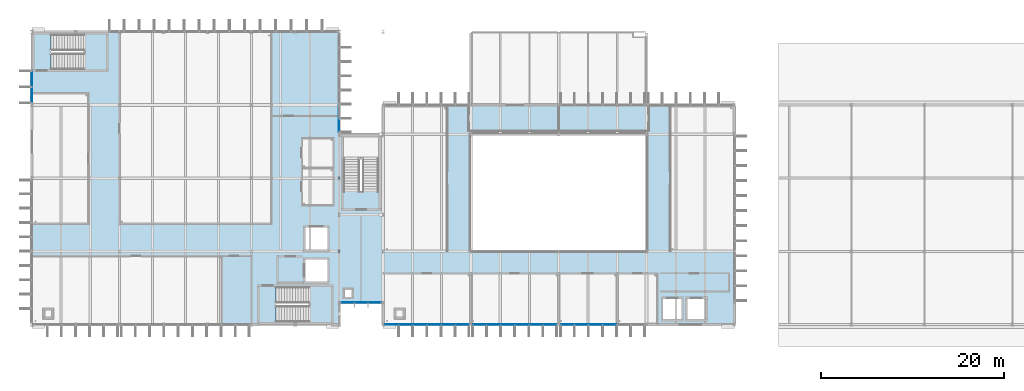
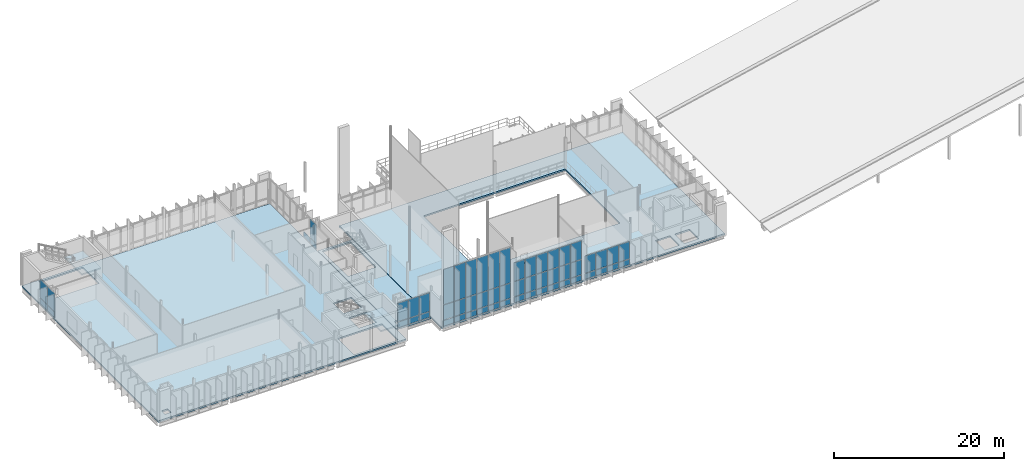
# One storey, part 19 of 41: 57 plates, 5 slabs, 8 elements without a shape of their own.
"""IFC4 building model written with IfcOpenShell, lengths in metres."""

from ifc_helpers import new_model, si_unit, direction, frame, origin, origin_2d, place, context, subcontext, project, spatial, polyline, rectangle, outline, extrude, material, layer, layer_set, type_object, element, aggregate, save


model = new_model("IFC4")

# Units and contexts
model_context = context("Model", 3, precision=1e-05, world=origin(), true_north=direction((0.0, 1.0)))
body_context = subcontext(model_context, "Body", "Model", "MODEL_VIEW")
ifc_project = project(units=[si_unit("LENGTHUNIT", "METRE"), si_unit("AREAUNIT", "SQUARE_METRE"), si_unit("VOLUMEUNIT", "CUBIC_METRE"), si_unit("PLANEANGLEUNIT", "RADIAN"), si_unit("MASSUNIT", "GRAM", prefix="KILO")], contexts=[model_context])

# Site, building, storey
site_placement = place(None, origin())
site = spatial("IfcSite", under=ifc_project, at=site_placement, CompositionType="ELEMENT")
building_placement = place(site_placement, origin())
building = spatial("IfcBuilding", under=site, at=building_placement, Name="Dunescarp Central Library", CompositionType="ELEMENT")
storey_placement = place(building_placement, frame((0.0, 0.0, 23.10009765625)))
storey = spatial("IfcBuildingStorey", under=building, at=storey_placement, Name="L05", CompositionType="ELEMENT", Elevation=23.10009765625)

# Curtain wall, plates
ifc_material_1 = material(Name="Marine-grade anodised aluminium 6063-T6", Category="aluminium")
curtain_wall_type_1 = type_object("IfcCurtainWallType", Name="ARC-CW-STICK", PredefinedType="NOTDEFINED", material=ifc_material_1)
curtain_wall_1_placement = place(storey_placement, origin())
curtain_wall_1 = element("IfcCurtainWall", 1, at=curtain_wall_1_placement, inside=storey, type_object=curtain_wall_type_1, Name="L05 curtain wall CW-V1-036", PredefinedType="NOTDEFINED")
ifc_material_2 = material(Name="Solar-control laminated double glazing", Category="glass")
ifc_layer_1 = layer(ifc_material_2, 0.028076171875)
ifc_layer_set_1 = layer_set([ifc_layer_1], Name="Solar-control laminated double glazing")
plate_type_1 = type_object("IfcPlateType", Name="ARC-PLT-GLZ28", PredefinedType="CURTAIN_PANEL", material=ifc_layer_set_1)
plate_1_placement = place(storey_placement, frame((0.0, 29.888671875, 0.93994140625), z_axis=(0.0, 0.0, 1.0), x_axis=(0.0, 1.0, 0.0)))
plate_1 = element("IfcPlate", 2, at=plate_1_placement, type_object=plate_type_1, Name="CW-V1-036 panel 1.2", PredefinedType="CURTAIN_PANEL", context=body_context, shape_type="SweptSolid", body=[
    extrude(rectangle(XDim=1.66748046875, YDim=0.028076171875, at=origin_2d()), origin(), (0.0, 0.0, 1.0), 2.633056640625),
])
plate_2_placement = place(storey_placement, frame((0.0, 31.63623046875, 0.93994140625), z_axis=(0.0, 0.0, 1.0), x_axis=(0.0, 1.0, 0.0)))
plate_2 = element("IfcPlate", 3, at=plate_2_placement, type_object=plate_type_1, Name="CW-V1-036 panel 2.2", PredefinedType="CURTAIN_PANEL", context=body_context, shape_type="SweptSolid", body=[
    extrude(rectangle(XDim=1.66748046875, YDim=0.028076171875, at=origin_2d()), origin(), (0.0, 0.0, 1.0), 2.633056640625),
])

# Curtain wall, plate
curtain_wall_2_placement = place(storey_placement, origin())
curtain_wall_2 = element("IfcCurtainWall", 4, at=curtain_wall_2_placement, inside=storey, type_object=curtain_wall_type_1, Name="L05 curtain wall CW-V1-037", PredefinedType="NOTDEFINED")
plate_3_placement = place(storey_placement, frame((33.60009765625, 26.570068359375, 0.93994140625), z_axis=(0.0, 0.0, 1.0), x_axis=(0.0, -1.0, 0.0)))
plate_3 = element("IfcPlate", 5, at=plate_3_placement, type_object=plate_type_1, Name="CW-V1-037 panel 7.2", PredefinedType="CURTAIN_PANEL", context=body_context, shape_type="SweptSolid", body=[
    extrude(rectangle(XDim=1.429931640625, YDim=0.028076171875, at=origin_2d()), origin(), (0.0, 0.0, 1.0), 2.633056640625),
])

# Curtain wall, plates
curtain_wall_3_placement = place(storey_placement, origin())
curtain_wall_3 = element("IfcCurtainWall", 6, at=curtain_wall_3_placement, inside=storey, type_object=curtain_wall_type_1, Name="L05 curtain wall CW-V2-074", PredefinedType="NOTDEFINED")
plate_4_placement = place(storey_placement, frame((47.0341796875, 4.800048828125, 0.93994140625), z_axis=(0.0, 0.0, 1.0), x_axis=(-1.0, 0.0, 0.0)))
plate_4 = element("IfcPlate", 7, at=plate_4_placement, type_object=plate_type_1, Name="CW-V2-074 panel 1.2", PredefinedType="CURTAIN_PANEL", context=body_context, shape_type="SweptSolid", body=[
    extrude(rectangle(XDim=1.421630859375, YDim=0.028076171875, at=origin_2d()), origin(), (0.0, 0.0, 1.0), 2.1201171875),
])
plate_5_placement = place(storey_placement, frame((47.0341796875, 4.800048828125, 3.14013671875), z_axis=(0.0, 0.0, 1.0), x_axis=(-1.0, 0.0, 0.0)))
plate_5 = element("IfcPlate", 8, at=plate_5_placement, type_object=plate_type_1, Name="CW-V2-074 panel 1.3", PredefinedType="CURTAIN_PANEL", context=body_context, shape_type="SweptSolid", body=[
    extrude(rectangle(XDim=1.421630859375, YDim=0.028076171875, at=origin_2d()), origin(), (0.0, 0.0, 1.0), 5.052978515625),
])
plate_6_placement = place(storey_placement, frame((45.512451171875, 4.800048828125, 0.93994140625), z_axis=(0.0, 0.0, 1.0), x_axis=(-1.0, 0.0, 0.0)))
plate_6 = element("IfcPlate", 9, at=plate_6_placement, type_object=plate_type_1, Name="CW-V2-074 panel 2.2", PredefinedType="CURTAIN_PANEL", context=body_context, shape_type="SweptSolid", body=[
    extrude(rectangle(XDim=1.461669921875, YDim=0.028076171875, at=origin_2d()), origin(), (0.0, 0.0, 1.0), 2.1201171875),
])
plate_7_placement = place(storey_placement, frame((45.512451171875, 4.800048828125, 3.14013671875), z_axis=(0.0, 0.0, 1.0), x_axis=(-1.0, 0.0, 0.0)))
plate_7 = element("IfcPlate", 10, at=plate_7_placement, type_object=plate_type_1, Name="CW-V2-074 panel 2.3", PredefinedType="CURTAIN_PANEL", context=body_context, shape_type="SweptSolid", body=[
    extrude(rectangle(XDim=1.461669921875, YDim=0.028076171875, at=origin_2d()), origin(), (0.0, 0.0, 1.0), 5.052978515625),
])
plate_8_placement = place(storey_placement, frame((43.970947265625, 4.800048828125, 0.93994140625), z_axis=(0.0, 0.0, 1.0), x_axis=(-1.0, 0.0, 0.0)))
plate_8 = element("IfcPlate", 11, at=plate_8_placement, type_object=plate_type_1, Name="CW-V2-074 panel 3.2", PredefinedType="CURTAIN_PANEL", context=body_context, shape_type="SweptSolid", body=[
    extrude(rectangle(XDim=1.461669921875, YDim=0.028076171875, at=origin_2d()), origin(), (0.0, 0.0, 1.0), 2.1201171875),
])
plate_9_placement = place(storey_placement, frame((43.970947265625, 4.800048828125, 3.14013671875), z_axis=(0.0, 0.0, 1.0), x_axis=(-1.0, 0.0, 0.0)))
plate_9 = element("IfcPlate", 12, at=plate_9_placement, type_object=plate_type_1, Name="CW-V2-074 panel 3.3", PredefinedType="CURTAIN_PANEL", context=body_context, shape_type="SweptSolid", body=[
    extrude(rectangle(XDim=1.461669921875, YDim=0.028076171875, at=origin_2d()), origin(), (0.0, 0.0, 1.0), 5.052978515625),
])
plate_10_placement = place(storey_placement, frame((42.42919921875, 4.800048828125, 0.93994140625), z_axis=(0.0, 0.0, 1.0), x_axis=(-1.0, 0.0, 0.0)))
plate_10 = element("IfcPlate", 13, at=plate_10_placement, type_object=plate_type_1, Name="CW-V2-074 panel 4.2", PredefinedType="CURTAIN_PANEL", context=body_context, shape_type="SweptSolid", body=[
    extrude(rectangle(XDim=1.461669921875, YDim=0.028076171875, at=origin_2d()), origin(), (0.0, 0.0, 1.0), 2.1201171875),
])
plate_11_placement = place(storey_placement, frame((42.42919921875, 4.800048828125, 3.14013671875), z_axis=(0.0, 0.0, 1.0), x_axis=(-1.0, 0.0, 0.0)))
plate_11 = element("IfcPlate", 14, at=plate_11_placement, type_object=plate_type_1, Name="CW-V2-074 panel 4.3", PredefinedType="CURTAIN_PANEL", context=body_context, shape_type="SweptSolid", body=[
    extrude(rectangle(XDim=1.461669921875, YDim=0.028076171875, at=origin_2d()), origin(), (0.0, 0.0, 1.0), 5.052978515625),
])
plate_12_placement = place(storey_placement, frame((40.887451171875, 4.800048828125, 0.93994140625), z_axis=(0.0, 0.0, 1.0), x_axis=(-1.0, 0.0, 0.0)))
plate_12 = element("IfcPlate", 15, at=plate_12_placement, type_object=plate_type_1, Name="CW-V2-074 panel 5.2", PredefinedType="CURTAIN_PANEL", context=body_context, shape_type="SweptSolid", body=[
    extrude(rectangle(XDim=1.461669921875, YDim=0.028076171875, at=origin_2d()), origin(), (0.0, 0.0, 1.0), 2.1201171875),
])
plate_13_placement = place(storey_placement, frame((40.887451171875, 4.800048828125, 3.14013671875), z_axis=(0.0, 0.0, 1.0), x_axis=(-1.0, 0.0, 0.0)))
plate_13 = element("IfcPlate", 16, at=plate_13_placement, type_object=plate_type_1, Name="CW-V2-074 panel 5.3", PredefinedType="CURTAIN_PANEL", context=body_context, shape_type="SweptSolid", body=[
    extrude(rectangle(XDim=1.461669921875, YDim=0.028076171875, at=origin_2d()), origin(), (0.0, 0.0, 1.0), 5.052978515625),
])
plate_14_placement = place(storey_placement, frame((39.36572265625, 4.800048828125, 0.93994140625), z_axis=(0.0, 0.0, 1.0), x_axis=(-1.0, 0.0, 0.0)))
plate_14 = element("IfcPlate", 17, at=plate_14_placement, type_object=plate_type_1, Name="CW-V2-074 panel 6.2", PredefinedType="CURTAIN_PANEL", context=body_context, shape_type="SweptSolid", body=[
    extrude(rectangle(XDim=1.421630859375, YDim=0.028076171875, at=origin_2d()), origin(), (0.0, 0.0, 1.0), 2.1201171875),
])
plate_15_placement = place(storey_placement, frame((39.36572265625, 4.800048828125, 3.14013671875), z_axis=(0.0, 0.0, 1.0), x_axis=(-1.0, 0.0, 0.0)))
plate_15 = element("IfcPlate", 18, at=plate_15_placement, type_object=plate_type_1, Name="CW-V2-074 panel 6.3", PredefinedType="CURTAIN_PANEL", context=body_context, shape_type="SweptSolid", body=[
    extrude(rectangle(XDim=1.421630859375, YDim=0.028076171875, at=origin_2d()), origin(), (0.0, 0.0, 1.0), 5.052978515625),
])

curtain_wall_4_placement = place(storey_placement, origin())
curtain_wall_4 = element("IfcCurtainWall", 19, at=curtain_wall_4_placement, inside=storey, type_object=curtain_wall_type_1, Name="L05 curtain wall CW-V2-075", PredefinedType="NOTDEFINED")
plate_16_placement = place(storey_placement, frame((56.63427734375, 4.800048828125, 0.93994140625), z_axis=(0.0, 0.0, 1.0), x_axis=(-1.0, 0.0, 0.0)))
plate_16 = element("IfcPlate", 20, at=plate_16_placement, type_object=plate_type_1, Name="CW-V2-075 panel 1.2", PredefinedType="CURTAIN_PANEL", context=body_context, shape_type="SweptSolid", body=[
    extrude(rectangle(XDim=1.421630859375, YDim=0.028076171875, at=origin_2d()), origin(), (0.0, 0.0, 1.0), 2.1201171875),
])
plate_17_placement = place(storey_placement, frame((56.63427734375, 4.800048828125, 3.1396484375), z_axis=(0.0, 0.0, 1.0), x_axis=(-1.0, 0.0, 0.0)))
plate_17 = element("IfcPlate", 21, at=plate_17_placement, type_object=plate_type_1, Name="CW-V2-075 panel 1.3", PredefinedType="CURTAIN_PANEL", context=body_context, shape_type="SweptSolid", body=[
    extrude(rectangle(XDim=1.421630859375, YDim=0.028076171875, at=origin_2d()), origin(), (0.0, 0.0, 1.0), 2.653076171875),
])
plate_18_placement = place(storey_placement, frame((55.112548828125, 4.800048828125, 0.93994140625), z_axis=(0.0, 0.0, 1.0), x_axis=(-1.0, 0.0, 0.0)))
plate_18 = element("IfcPlate", 22, at=plate_18_placement, type_object=plate_type_1, Name="CW-V2-075 panel 2.2", PredefinedType="CURTAIN_PANEL", context=body_context, shape_type="SweptSolid", body=[
    extrude(rectangle(XDim=1.461669921875, YDim=0.028076171875, at=origin_2d()), origin(), (0.0, 0.0, 1.0), 2.1201171875),
])
plate_19_placement = place(storey_placement, frame((55.112548828125, 4.800048828125, 3.1396484375), z_axis=(0.0, 0.0, 1.0), x_axis=(-1.0, 0.0, 0.0)))
plate_19 = element("IfcPlate", 23, at=plate_19_placement, type_object=plate_type_1, Name="CW-V2-075 panel 2.3", PredefinedType="CURTAIN_PANEL", context=body_context, shape_type="SweptSolid", body=[
    extrude(rectangle(XDim=1.461669921875, YDim=0.028076171875, at=origin_2d()), origin(), (0.0, 0.0, 1.0), 2.653076171875),
])
plate_20_placement = place(storey_placement, frame((53.57080078125, 4.800048828125, 0.93994140625), z_axis=(0.0, 0.0, 1.0), x_axis=(-1.0, 0.0, 0.0)))
plate_20 = element("IfcPlate", 24, at=plate_20_placement, type_object=plate_type_1, Name="CW-V2-075 panel 3.2", PredefinedType="CURTAIN_PANEL", context=body_context, shape_type="SweptSolid", body=[
    extrude(rectangle(XDim=1.461669921875, YDim=0.028076171875, at=origin_2d()), origin(), (0.0, 0.0, 1.0), 2.1201171875),
])
plate_21_placement = place(storey_placement, frame((53.57080078125, 4.800048828125, 3.1396484375), z_axis=(0.0, 0.0, 1.0), x_axis=(-1.0, 0.0, 0.0)))
plate_21 = element("IfcPlate", 25, at=plate_21_placement, type_object=plate_type_1, Name="CW-V2-075 panel 3.3", PredefinedType="CURTAIN_PANEL", context=body_context, shape_type="SweptSolid", body=[
    extrude(rectangle(XDim=1.461669921875, YDim=0.028076171875, at=origin_2d()), origin(), (0.0, 0.0, 1.0), 2.653076171875),
])
plate_22_placement = place(storey_placement, frame((52.029052734375, 4.800048828125, 0.93994140625), z_axis=(0.0, 0.0, 1.0), x_axis=(-1.0, 0.0, 0.0)))
plate_22 = element("IfcPlate", 26, at=plate_22_placement, type_object=plate_type_1, Name="CW-V2-075 panel 4.2", PredefinedType="CURTAIN_PANEL", context=body_context, shape_type="SweptSolid", body=[
    extrude(rectangle(XDim=1.461669921875, YDim=0.028076171875, at=origin_2d()), origin(), (0.0, 0.0, 1.0), 2.1201171875),
])
plate_23_placement = place(storey_placement, frame((52.029052734375, 4.800048828125, 3.1396484375), z_axis=(0.0, 0.0, 1.0), x_axis=(-1.0, 0.0, 0.0)))
plate_23 = element("IfcPlate", 27, at=plate_23_placement, type_object=plate_type_1, Name="CW-V2-075 panel 4.3", PredefinedType="CURTAIN_PANEL", context=body_context, shape_type="SweptSolid", body=[
    extrude(rectangle(XDim=1.461669921875, YDim=0.028076171875, at=origin_2d()), origin(), (0.0, 0.0, 1.0), 2.653076171875),
])
plate_24_placement = place(storey_placement, frame((50.487548828125, 4.800048828125, 0.93994140625), z_axis=(0.0, 0.0, 1.0), x_axis=(-1.0, 0.0, 0.0)))
plate_24 = element("IfcPlate", 28, at=plate_24_placement, type_object=plate_type_1, Name="CW-V2-075 panel 5.2", PredefinedType="CURTAIN_PANEL", context=body_context, shape_type="SweptSolid", body=[
    extrude(rectangle(XDim=1.461669921875, YDim=0.028076171875, at=origin_2d()), origin(), (0.0, 0.0, 1.0), 2.1201171875),
])
plate_25_placement = place(storey_placement, frame((50.487548828125, 4.800048828125, 3.1396484375), z_axis=(0.0, 0.0, 1.0), x_axis=(-1.0, 0.0, 0.0)))
plate_25 = element("IfcPlate", 29, at=plate_25_placement, type_object=plate_type_1, Name="CW-V2-075 panel 5.3", PredefinedType="CURTAIN_PANEL", context=body_context, shape_type="SweptSolid", body=[
    extrude(rectangle(XDim=1.461669921875, YDim=0.028076171875, at=origin_2d()), origin(), (0.0, 0.0, 1.0), 2.653076171875),
])
plate_26_placement = place(storey_placement, frame((48.9658203125, 4.800048828125, 0.93994140625), z_axis=(0.0, 0.0, 1.0), x_axis=(-1.0, 0.0, 0.0)))
plate_26 = element("IfcPlate", 30, at=plate_26_placement, type_object=plate_type_1, Name="CW-V2-075 panel 6.2", PredefinedType="CURTAIN_PANEL", context=body_context, shape_type="SweptSolid", body=[
    extrude(rectangle(XDim=1.421630859375, YDim=0.028076171875, at=origin_2d()), origin(), (0.0, 0.0, 1.0), 2.1201171875),
])
plate_27_placement = place(storey_placement, frame((48.9658203125, 4.800048828125, 3.1396484375), z_axis=(0.0, 0.0, 1.0), x_axis=(-1.0, 0.0, 0.0)))
plate_27 = element("IfcPlate", 31, at=plate_27_placement, type_object=plate_type_1, Name="CW-V2-075 panel 6.3", PredefinedType="CURTAIN_PANEL", context=body_context, shape_type="SweptSolid", body=[
    extrude(rectangle(XDim=1.421630859375, YDim=0.028076171875, at=origin_2d()), origin(), (0.0, 0.0, 1.0), 2.653076171875),
])

curtain_wall_5_placement = place(storey_placement, origin())
curtain_wall_5 = element("IfcCurtainWall", 32, at=curtain_wall_5_placement, inside=storey, type_object=curtain_wall_type_1, Name="L05 curtain wall CW-V2-076", PredefinedType="NOTDEFINED")
plate_28_placement = place(storey_placement, frame((63.1708984375, 4.800048828125, 0.93994140625), z_axis=(0.0, 0.0, 1.0), x_axis=(-1.0, 0.0, 0.0)))
plate_28 = element("IfcPlate", 33, at=plate_28_placement, type_object=plate_type_1, Name="CW-V2-076 panel 3.2", PredefinedType="CURTAIN_PANEL", context=body_context, shape_type="SweptSolid", body=[
    extrude(rectangle(XDim=1.461669921875, YDim=0.028076171875, at=origin_2d()), origin(), (0.0, 0.0, 1.0), 2.452880859375),
])
plate_29_placement = place(storey_placement, frame((61.629150390625, 4.800048828125, 0.93994140625), z_axis=(0.0, 0.0, 1.0), x_axis=(-1.0, 0.0, 0.0)))
plate_29 = element("IfcPlate", 34, at=plate_29_placement, type_object=plate_type_1, Name="CW-V2-076 panel 4.2", PredefinedType="CURTAIN_PANEL", context=body_context, shape_type="SweptSolid", body=[
    extrude(rectangle(XDim=1.461669921875, YDim=0.028076171875, at=origin_2d()), origin(), (0.0, 0.0, 1.0), 2.452880859375),
])
plate_30_placement = place(storey_placement, frame((60.08740234375, 4.800048828125, 0.93994140625), z_axis=(0.0, 0.0, 1.0), x_axis=(-1.0, 0.0, 0.0)))
plate_30 = element("IfcPlate", 35, at=plate_30_placement, type_object=plate_type_1, Name="CW-V2-076 panel 5.2", PredefinedType="CURTAIN_PANEL", context=body_context, shape_type="SweptSolid", body=[
    extrude(rectangle(XDim=1.461669921875, YDim=0.028076171875, at=origin_2d()), origin(), (0.0, 0.0, 1.0), 2.452880859375),
])
plate_31_placement = place(storey_placement, frame((58.56591796875, 4.800048828125, 0.93994140625), z_axis=(0.0, 0.0, 1.0), x_axis=(-1.0, 0.0, 0.0)))
plate_31 = element("IfcPlate", 36, at=plate_31_placement, type_object=plate_type_1, Name="CW-V2-076 panel 6.2", PredefinedType="CURTAIN_PANEL", context=body_context, shape_type="SweptSolid", body=[
    extrude(rectangle(XDim=1.421630859375, YDim=0.028076171875, at=origin_2d()), origin(), (0.0, 0.0, 1.0), 2.452880859375),
])

curtain_wall_type_2 = type_object("IfcCurtainWallType", Name="ARC-CW-LINK", PredefinedType="USERDEFINED", material=ifc_material_1)
curtain_wall_6_placement = place(storey_placement, origin())
curtain_wall_6 = element("IfcCurtainWall", 37, at=curtain_wall_6_placement, inside=storey, type_object=curtain_wall_type_2, Name="L05 curtain wall CW-GL1-S-L05", ObjectType="GLAZED_LINK_WALL", PredefinedType="USERDEFINED")
plate_32_placement = place(storey_placement, frame((37.46337890625, 7.199951171875, 0.93994140625), z_axis=(0.0, 0.0, 1.0), x_axis=(-1.0, 0.0, 0.0)))
plate_32 = element("IfcPlate", 38, at=plate_32_placement, type_object=plate_type_1, Name="CW-GL1-S-L05 panel 1.2", PredefinedType="CURTAIN_PANEL", context=body_context, shape_type="SweptSolid", body=[
    extrude(rectangle(XDim=1.36328125, YDim=0.028076171875, at=origin_2d()), origin(), (0.0, 0.0, 1.0), 2.64208984375),
])
plate_33_placement = place(storey_placement, frame((36.0, 7.199951171875, 0.93994140625), z_axis=(0.0, 0.0, 1.0), x_axis=(-1.0, 0.0, 0.0)))
plate_33 = element("IfcPlate", 39, at=plate_33_placement, type_object=plate_type_1, Name="CW-GL1-S-L05 panel 2.2", PredefinedType="CURTAIN_PANEL", context=body_context, shape_type="SweptSolid", body=[
    extrude(rectangle(XDim=1.4033203125, YDim=0.028076171875, at=origin_2d()), origin(), (0.0, 0.0, 1.0), 2.64208984375),
])
plate_34_placement = place(storey_placement, frame((34.53662109375, 7.199951171875, 0.93994140625), z_axis=(0.0, 0.0, 1.0), x_axis=(-1.0, 0.0, 0.0)))
plate_34 = element("IfcPlate", 40, at=plate_34_placement, type_object=plate_type_1, Name="CW-GL1-S-L05 panel 3.2", PredefinedType="CURTAIN_PANEL", context=body_context, shape_type="SweptSolid", body=[
    extrude(rectangle(XDim=1.36328125, YDim=0.028076171875, at=origin_2d()), origin(), (0.0, 0.0, 1.0), 2.64208984375),
])

# Plate
ifc_layer_2 = layer(ifc_material_1, 0.050048828125)
ifc_layer_set_2 = layer_set([ifc_layer_2], Name="Marine-grade anodised aluminium 6063-T6")
plate_type_2 = type_object("IfcPlateType", Name="ARC-PLT-SPN50", PredefinedType="SHEET", material=ifc_layer_set_2)
plate_35_placement = place(storey_placement, frame((0.0, 29.888671875, 0.080078125), z_axis=(0.0, 0.0, 1.0), x_axis=(0.0, 1.0, 0.0)))
plate_35 = element("IfcPlate", 41, at=plate_35_placement, type_object=plate_type_2, Name="CW-V1-036 panel 1.1", PredefinedType="SHEET", context=body_context, shape_type="SweptSolid", body=[
    extrude(rectangle(XDim=1.66748046875, YDim=0.050048828125, at=origin_2d()), origin(), (0.0, 0.0, 1.0), 0.780029296875),
])

plate_36_placement = place(storey_placement, frame((0.0, 31.63623046875, 0.080078125), z_axis=(0.0, 0.0, 1.0), x_axis=(0.0, 1.0, 0.0)))
plate_36 = element("IfcPlate", 42, at=plate_36_placement, type_object=plate_type_2, Name="CW-V1-036 panel 2.1", PredefinedType="SHEET", context=body_context, shape_type="SweptSolid", body=[
    extrude(rectangle(XDim=1.66748046875, YDim=0.050048828125, at=origin_2d()), origin(), (0.0, 0.0, 1.0), 0.780029296875),
])

aggregate(curtain_wall_1, [plate_35, plate_1, plate_36, plate_2])

plate_37_placement = place(storey_placement, frame((33.60009765625, 28.10009765625, 0.080078125), z_axis=(0.0, 0.0, 1.0), x_axis=(0.0, -1.0, 0.0)))
plate_37 = element("IfcPlate", 43, at=plate_37_placement, type_object=plate_type_2, Name="CW-V1-037 panel 6.1", PredefinedType="SHEET", context=body_context, shape_type="SweptSolid", body=[
    extrude(rectangle(XDim=1.469970703125, YDim=0.050048828125, at=origin_2d()), origin(), (0.0, 0.0, 1.0), 0.780029296875),
])

plate_38_placement = place(storey_placement, frame((33.60009765625, 26.570068359375, 0.080078125), z_axis=(0.0, 0.0, 1.0), x_axis=(0.0, -1.0, 0.0)))
plate_38 = element("IfcPlate", 44, at=plate_38_placement, type_object=plate_type_2, Name="CW-V1-037 panel 7.1", PredefinedType="SHEET", context=body_context, shape_type="SweptSolid", body=[
    extrude(rectangle(XDim=1.429931640625, YDim=0.050048828125, at=origin_2d()), origin(), (0.0, 0.0, 1.0), 0.780029296875),
])

aggregate(curtain_wall_2, [plate_37, plate_38, plate_3])

plate_39_placement = place(storey_placement, frame((47.0341796875, 4.800048828125, 0.080078125), z_axis=(0.0, 0.0, 1.0), x_axis=(-1.0, 0.0, 0.0)))
plate_39 = element("IfcPlate", 45, at=plate_39_placement, type_object=plate_type_2, Name="CW-V2-074 panel 1.1", PredefinedType="SHEET", context=body_context, shape_type="SweptSolid", body=[
    extrude(rectangle(XDim=1.421630859375, YDim=0.050048828125, at=origin_2d()), origin(), (0.0, 0.0, 1.0), 0.780029296875),
])

plate_40_placement = place(storey_placement, frame((45.512451171875, 4.800048828125, 0.080078125), z_axis=(0.0, 0.0, 1.0), x_axis=(-1.0, 0.0, 0.0)))
plate_40 = element("IfcPlate", 46, at=plate_40_placement, type_object=plate_type_2, Name="CW-V2-074 panel 2.1", PredefinedType="SHEET", context=body_context, shape_type="SweptSolid", body=[
    extrude(rectangle(XDim=1.461669921875, YDim=0.050048828125, at=origin_2d()), origin(), (0.0, 0.0, 1.0), 0.780029296875),
])

plate_41_placement = place(storey_placement, frame((43.970947265625, 4.800048828125, 0.080078125), z_axis=(0.0, 0.0, 1.0), x_axis=(-1.0, 0.0, 0.0)))
plate_41 = element("IfcPlate", 47, at=plate_41_placement, type_object=plate_type_2, Name="CW-V2-074 panel 3.1", PredefinedType="SHEET", context=body_context, shape_type="SweptSolid", body=[
    extrude(rectangle(XDim=1.461669921875, YDim=0.050048828125, at=origin_2d()), origin(), (0.0, 0.0, 1.0), 0.780029296875),
])

plate_42_placement = place(storey_placement, frame((42.42919921875, 4.800048828125, 0.080078125), z_axis=(0.0, 0.0, 1.0), x_axis=(-1.0, 0.0, 0.0)))
plate_42 = element("IfcPlate", 48, at=plate_42_placement, type_object=plate_type_2, Name="CW-V2-074 panel 4.1", PredefinedType="SHEET", context=body_context, shape_type="SweptSolid", body=[
    extrude(rectangle(XDim=1.461669921875, YDim=0.050048828125, at=origin_2d()), origin(), (0.0, 0.0, 1.0), 0.780029296875),
])

plate_43_placement = place(storey_placement, frame((40.887451171875, 4.800048828125, 0.080078125), z_axis=(0.0, 0.0, 1.0), x_axis=(-1.0, 0.0, 0.0)))
plate_43 = element("IfcPlate", 49, at=plate_43_placement, type_object=plate_type_2, Name="CW-V2-074 panel 5.1", PredefinedType="SHEET", context=body_context, shape_type="SweptSolid", body=[
    extrude(rectangle(XDim=1.461669921875, YDim=0.050048828125, at=origin_2d()), origin(), (0.0, 0.0, 1.0), 0.780029296875),
])

plate_44_placement = place(storey_placement, frame((39.36572265625, 4.800048828125, 0.080078125), z_axis=(0.0, 0.0, 1.0), x_axis=(-1.0, 0.0, 0.0)))
plate_44 = element("IfcPlate", 50, at=plate_44_placement, type_object=plate_type_2, Name="CW-V2-074 panel 6.1", PredefinedType="SHEET", context=body_context, shape_type="SweptSolid", body=[
    extrude(rectangle(XDim=1.421630859375, YDim=0.050048828125, at=origin_2d()), origin(), (0.0, 0.0, 1.0), 0.780029296875),
])

aggregate(curtain_wall_3, [plate_39, plate_4, plate_5, plate_40, plate_6, plate_7, plate_41, plate_8, plate_9, plate_42, plate_10, plate_11, plate_43, plate_12, plate_13, plate_44, plate_14, plate_15])

plate_45_placement = place(storey_placement, frame((56.63427734375, 4.800048828125, 0.080078125), z_axis=(0.0, 0.0, 1.0), x_axis=(-1.0, 0.0, 0.0)))
plate_45 = element("IfcPlate", 51, at=plate_45_placement, type_object=plate_type_2, Name="CW-V2-075 panel 1.1", PredefinedType="SHEET", context=body_context, shape_type="SweptSolid", body=[
    extrude(rectangle(XDim=1.421630859375, YDim=0.050048828125, at=origin_2d()), origin(), (0.0, 0.0, 1.0), 0.780029296875),
])

plate_46_placement = place(storey_placement, frame((55.112548828125, 4.800048828125, 0.080078125), z_axis=(0.0, 0.0, 1.0), x_axis=(-1.0, 0.0, 0.0)))
plate_46 = element("IfcPlate", 52, at=plate_46_placement, type_object=plate_type_2, Name="CW-V2-075 panel 2.1", PredefinedType="SHEET", context=body_context, shape_type="SweptSolid", body=[
    extrude(rectangle(XDim=1.461669921875, YDim=0.050048828125, at=origin_2d()), origin(), (0.0, 0.0, 1.0), 0.780029296875),
])

plate_47_placement = place(storey_placement, frame((53.57080078125, 4.800048828125, 0.080078125), z_axis=(0.0, 0.0, 1.0), x_axis=(-1.0, 0.0, 0.0)))
plate_47 = element("IfcPlate", 53, at=plate_47_placement, type_object=plate_type_2, Name="CW-V2-075 panel 3.1", PredefinedType="SHEET", context=body_context, shape_type="SweptSolid", body=[
    extrude(rectangle(XDim=1.461669921875, YDim=0.050048828125, at=origin_2d()), origin(), (0.0, 0.0, 1.0), 0.780029296875),
])

plate_48_placement = place(storey_placement, frame((52.029052734375, 4.800048828125, 0.080078125), z_axis=(0.0, 0.0, 1.0), x_axis=(-1.0, 0.0, 0.0)))
plate_48 = element("IfcPlate", 54, at=plate_48_placement, type_object=plate_type_2, Name="CW-V2-075 panel 4.1", PredefinedType="SHEET", context=body_context, shape_type="SweptSolid", body=[
    extrude(rectangle(XDim=1.461669921875, YDim=0.050048828125, at=origin_2d()), origin(), (0.0, 0.0, 1.0), 0.780029296875),
])

plate_49_placement = place(storey_placement, frame((50.487548828125, 4.800048828125, 0.080078125), z_axis=(0.0, 0.0, 1.0), x_axis=(-1.0, 0.0, 0.0)))
plate_49 = element("IfcPlate", 55, at=plate_49_placement, type_object=plate_type_2, Name="CW-V2-075 panel 5.1", PredefinedType="SHEET", context=body_context, shape_type="SweptSolid", body=[
    extrude(rectangle(XDim=1.461669921875, YDim=0.050048828125, at=origin_2d()), origin(), (0.0, 0.0, 1.0), 0.780029296875),
])

plate_50_placement = place(storey_placement, frame((48.9658203125, 4.800048828125, 0.080078125), z_axis=(0.0, 0.0, 1.0), x_axis=(-1.0, 0.0, 0.0)))
plate_50 = element("IfcPlate", 56, at=plate_50_placement, type_object=plate_type_2, Name="CW-V2-075 panel 6.1", PredefinedType="SHEET", context=body_context, shape_type="SweptSolid", body=[
    extrude(rectangle(XDim=1.421630859375, YDim=0.050048828125, at=origin_2d()), origin(), (0.0, 0.0, 1.0), 0.780029296875),
])

aggregate(curtain_wall_4, [plate_45, plate_16, plate_17, plate_46, plate_18, plate_19, plate_47, plate_20, plate_21, plate_48, plate_22, plate_23, plate_49, plate_24, plate_25, plate_50, plate_26, plate_27])

plate_51_placement = place(storey_placement, frame((63.1708984375, 4.800048828125, 0.080078125), z_axis=(0.0, 0.0, 1.0), x_axis=(-1.0, 0.0, 0.0)))
plate_51 = element("IfcPlate", 57, at=plate_51_placement, type_object=plate_type_2, Name="CW-V2-076 panel 3.1", PredefinedType="SHEET", context=body_context, shape_type="SweptSolid", body=[
    extrude(rectangle(XDim=1.461669921875, YDim=0.050048828125, at=origin_2d()), origin(), (0.0, 0.0, 1.0), 0.780029296875),
])

plate_52_placement = place(storey_placement, frame((61.629150390625, 4.800048828125, 0.080078125), z_axis=(0.0, 0.0, 1.0), x_axis=(-1.0, 0.0, 0.0)))
plate_52 = element("IfcPlate", 58, at=plate_52_placement, type_object=plate_type_2, Name="CW-V2-076 panel 4.1", PredefinedType="SHEET", context=body_context, shape_type="SweptSolid", body=[
    extrude(rectangle(XDim=1.461669921875, YDim=0.050048828125, at=origin_2d()), origin(), (0.0, 0.0, 1.0), 0.780029296875),
])

plate_53_placement = place(storey_placement, frame((60.08740234375, 4.800048828125, 0.080078125), z_axis=(0.0, 0.0, 1.0), x_axis=(-1.0, 0.0, 0.0)))
plate_53 = element("IfcPlate", 59, at=plate_53_placement, type_object=plate_type_2, Name="CW-V2-076 panel 5.1", PredefinedType="SHEET", context=body_context, shape_type="SweptSolid", body=[
    extrude(rectangle(XDim=1.461669921875, YDim=0.050048828125, at=origin_2d()), origin(), (0.0, 0.0, 1.0), 0.780029296875),
])

plate_54_placement = place(storey_placement, frame((58.56591796875, 4.800048828125, 0.080078125), z_axis=(0.0, 0.0, 1.0), x_axis=(-1.0, 0.0, 0.0)))
plate_54 = element("IfcPlate", 60, at=plate_54_placement, type_object=plate_type_2, Name="CW-V2-076 panel 6.1", PredefinedType="SHEET", context=body_context, shape_type="SweptSolid", body=[
    extrude(rectangle(XDim=1.421630859375, YDim=0.050048828125, at=origin_2d()), origin(), (0.0, 0.0, 1.0), 0.780029296875),
])

aggregate(curtain_wall_5, [plate_51, plate_28, plate_52, plate_29, plate_53, plate_30, plate_54, plate_31])

plate_55_placement = place(storey_placement, frame((37.46337890625, 7.199951171875, 0.080078125), z_axis=(0.0, 0.0, 1.0), x_axis=(-1.0, 0.0, 0.0)))
plate_55 = element("IfcPlate", 61, at=plate_55_placement, type_object=plate_type_2, Name="CW-GL1-S-L05 panel 1.1", PredefinedType="SHEET", context=body_context, shape_type="SweptSolid", body=[
    extrude(rectangle(XDim=1.36328125, YDim=0.050048828125, at=origin_2d()), origin(), (0.0, 0.0, 1.0), 0.780029296875),
])

plate_56_placement = place(storey_placement, frame((36.0, 7.199951171875, 0.080078125), z_axis=(0.0, 0.0, 1.0), x_axis=(-1.0, 0.0, 0.0)))
plate_56 = element("IfcPlate", 62, at=plate_56_placement, type_object=plate_type_2, Name="CW-GL1-S-L05 panel 2.1", PredefinedType="SHEET", context=body_context, shape_type="SweptSolid", body=[
    extrude(rectangle(XDim=1.4033203125, YDim=0.050048828125, at=origin_2d()), origin(), (0.0, 0.0, 1.0), 0.780029296875),
])

plate_57_placement = place(storey_placement, frame((34.53662109375, 7.199951171875, 0.080078125), z_axis=(0.0, 0.0, 1.0), x_axis=(-1.0, 0.0, 0.0)))
plate_57 = element("IfcPlate", 63, at=plate_57_placement, type_object=plate_type_2, Name="CW-GL1-S-L05 panel 3.1", PredefinedType="SHEET", context=body_context, shape_type="SweptSolid", body=[
    extrude(rectangle(XDim=1.36328125, YDim=0.050048828125, at=origin_2d()), origin(), (0.0, 0.0, 1.0), 0.780029296875),
])

aggregate(curtain_wall_6, [plate_55, plate_32, plate_56, plate_33, plate_57, plate_34])

# Stair, slab
ifc_material_3 = material(Name="Concrete C35/45", Category="concrete")
stair_type = type_object("IfcStairType", Name="ARC-STR-TYP", PredefinedType="HALF_TURN_STAIR", material=ifc_material_3)
stair_1_placement = place(storey_placement, origin())
stair_1 = element("IfcStair", 64, at=stair_1_placement, inside=storey, type_object=stair_type, Name="L05 Protected escape stair ST-1", PredefinedType="HALF_TURN_STAIR")
ifc_layer_3 = layer(ifc_material_3, 0.199951171875)
ifc_layer_set_3 = layer_set([ifc_layer_3], Name="Concrete C35/45")
slab_type_1 = type_object("IfcSlabType", Name="STR-SLB-LAND200", PredefinedType="LANDING", material=ifc_layer_set_3)
slab_1_placement = place(storey_placement, frame((0.0, 0.0, 2.0498046875)))
slab_1 = element("IfcSlab", 65, at=slab_1_placement, type_object=slab_type_1, Name="ST-1 landing 1", PredefinedType="LANDING", context=body_context, shape_type="SweptSolid", body=[
    extrude(outline(polyline([(30.284912109375, 4.949951171875), (32.85009765625, 4.949951171875), (32.85009765625, 9.050048828125), (30.284912109375, 9.050048828125), (30.284912109375, 4.949951171875)])), origin(), (0.0, 0.0, 1.0), 0.2001953125),
])
aggregate(stair_1, [slab_1])

stair_2_placement = place(storey_placement, origin())
stair_2 = element("IfcStair", 66, at=stair_2_placement, inside=storey, type_object=stair_type, Name="L05 Protected escape stair ST-6", PredefinedType="HALF_TURN_STAIR")
slab_2_placement = place(storey_placement, frame((0.0, 0.0, 2.0498046875)))
slab_2 = element("IfcSlab", 67, at=slab_2_placement, type_object=slab_type_1, Name="ST-6 landing 1", PredefinedType="LANDING", context=body_context, shape_type="SweptSolid", body=[
    extrude(outline(polyline([(5.68505859375, 32.550048828125), (8.25, 32.550048828125), (8.25, 36.64990234375), (5.68505859375, 36.64990234375), (5.68505859375, 32.550048828125)])), origin(), (0.0, 0.0, 1.0), 0.2001953125),
])
aggregate(stair_2, [slab_2])

# Slabs
ifc_layer_4 = layer(ifc_material_3, 0.219970703125)
ifc_layer_set_4 = layer_set([ifc_layer_4], Name="Concrete C35/45")
slab_type_2 = type_object("IfcSlabType", Name="STR-SLB-STACK220", PredefinedType="FLOOR", material=ifc_layer_set_4)
slab_3_placement = place(storey_placement, frame((0.0, 0.0, -0.22021484375)))
element("IfcSlab", 68, at=slab_3_placement, inside=storey, type_object=slab_type_2, Name="L05 V1 slab", PredefinedType="FLOOR", context=body_context, shape_type="SweptSolid", body=[
    extrude(outline(polyline([(0.0, 4.800048828125), (33.60009765625, 4.800048828125), (33.60009765625, 36.800048828125), (0.0, 36.800048828125), (0.0, 4.800048828125)]), holes=[polyline([(26.715087890625, 5.10009765625), (32.699951171875, 5.10009765625), (32.699951171875, 8.89990234375), (26.715087890625, 8.89990234375), (26.715087890625, 5.10009765625)]), polyline([(2.114990234375, 32.699951171875), (8.10009765625, 32.699951171875), (8.10009765625, 36.5), (2.114990234375, 36.5), (2.114990234375, 32.699951171875)]), polyline([(29.89990234375, 9.5), (32.300048828125, 9.5), (32.300048828125, 11.89990234375), (29.89990234375, 11.89990234375), (29.89990234375, 9.5)]), polyline([(29.89990234375, 13.0), (32.300048828125, 13.0), (32.300048828125, 15.39990234375), (29.89990234375, 15.39990234375), (29.89990234375, 13.0)]), polyline([(1.39990234375, 5.60009765625), (2.199951171875, 5.60009765625), (2.199951171875, 6.39990234375), (1.39990234375, 6.39990234375), (1.39990234375, 5.60009765625)])]), origin(), (0.0, 0.0, 1.0), 0.22021484375),
])
slab_4_placement = place(storey_placement, frame((0.0, 0.0, -0.22021484375)))
element("IfcSlab", 69, at=slab_4_placement, inside=storey, type_object=slab_type_2, Name="L05 V2 slab", PredefinedType="FLOOR", context=body_context, shape_type="SweptSolid", body=[
    extrude(outline(polyline([(38.39990234375, 4.800048828125), (76.800048828125, 4.800048828125), (76.800048828125, 28.800048828125), (38.39990234375, 28.800048828125), (38.39990234375, 4.800048828125)]), holes=[polyline([(69.0, 5.39990234375), (71.0, 5.39990234375), (71.0, 7.60009765625), (69.0, 7.60009765625), (69.0, 5.39990234375)]), polyline([(71.64990234375, 5.39990234375), (73.64990234375, 5.39990234375), (73.64990234375, 7.60009765625), (71.64990234375, 7.60009765625), (71.64990234375, 5.39990234375)]), polyline([(48.0, 12.800048828125), (67.199951171875, 12.800048828125), (67.199951171875, 25.60009765625), (48.0, 25.60009765625), (48.0, 12.800048828125)]), polyline([(39.800048828125, 5.60009765625), (40.60009765625, 5.60009765625), (40.60009765625, 6.39990234375), (39.800048828125, 6.39990234375), (39.800048828125, 5.60009765625)])]), origin(), (0.0, 0.0, 1.0), 0.22021484375),
])
slab_5_placement = place(storey_placement, frame((0.0, 0.0, -0.22021484375)))
element("IfcSlab", 70, at=slab_5_placement, inside=storey, type_object=slab_type_2, Name="L05 GL1 slab", PredefinedType="FLOOR", context=body_context, shape_type="SweptSolid", body=[
    extrude(outline(polyline([(33.64990234375, 7.199951171875), (38.35009765625, 7.199951171875), (38.35009765625, 25.60009765625), (33.64990234375, 25.60009765625), (33.64990234375, 7.199951171875)]), holes=[polyline([(34.10009765625, 19.31494140625), (37.89990234375, 19.31494140625), (37.89990234375, 25.300048828125), (34.10009765625, 25.300048828125), (34.10009765625, 19.31494140625)]), polyline([(34.199951171875, 7.800048828125), (35.0, 7.800048828125), (35.0, 8.60009765625), (34.199951171875, 8.60009765625), (34.199951171875, 7.800048828125)])]), origin(), (0.0, 0.0, 1.0), 0.22021484375),
])

save(model, "model.ifc")
